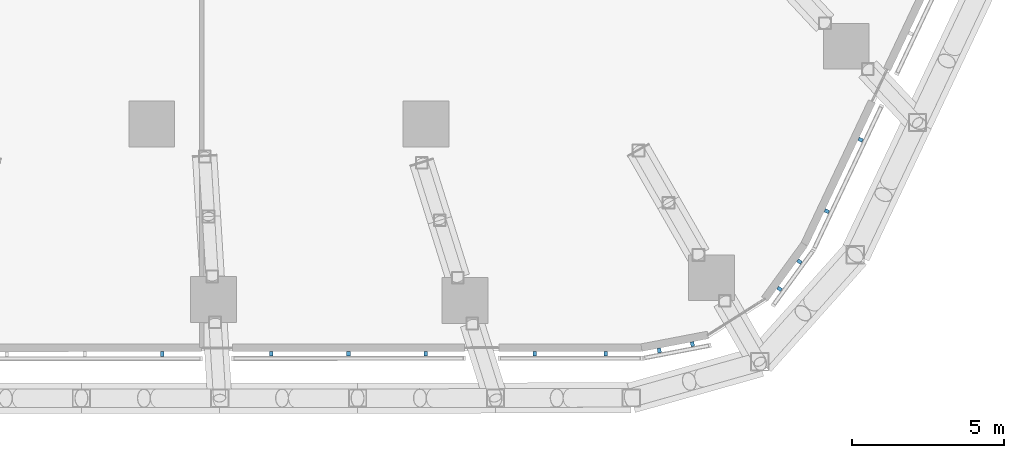
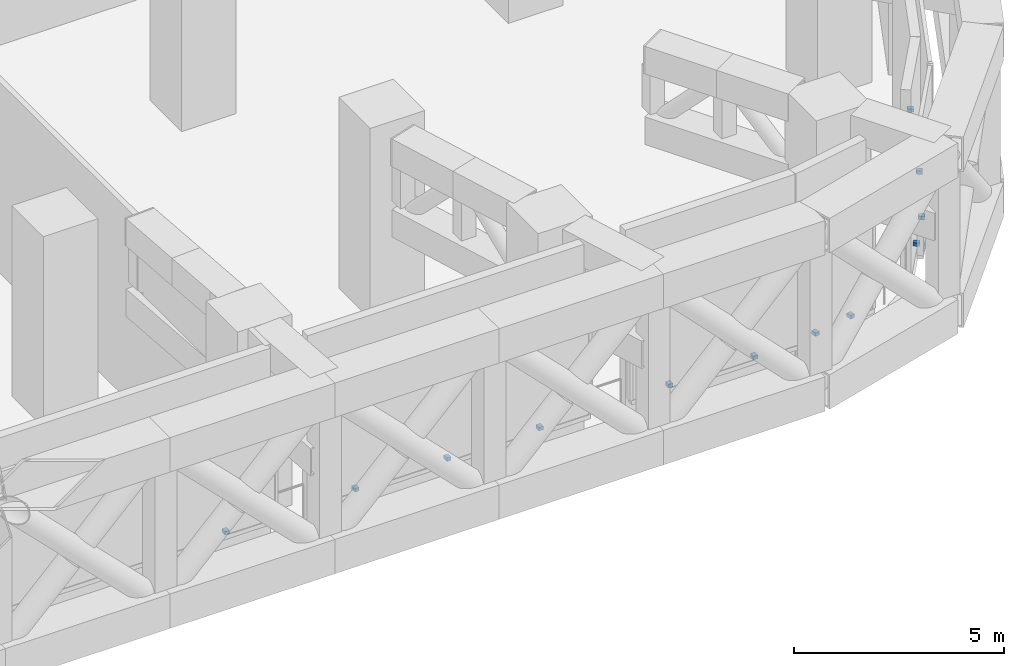
# One storey, part 25 of 38: 12 discrete accessories, 3 elements without a shape of their own.
"""IFC4 building model written with IfcOpenShell, lengths in metres."""

from ifc_helpers import new_model, si_unit, direction, frame, origin, origin_2d, place, context, subcontext, project, spatial, rectangle, extrude, material, layer, layer_set, type_object, element, aggregate, save


model = new_model("IFC4")

# Units and contexts
model_context = context("Model", 3, precision=1e-05, world=origin(), true_north=direction((0.0, 1.0)))
body_context = subcontext(model_context, "Body", "Model", "MODEL_VIEW")
ifc_project = project(units=[si_unit("LENGTHUNIT", "METRE"), si_unit("AREAUNIT", "SQUARE_METRE"), si_unit("VOLUMEUNIT", "CUBIC_METRE"), si_unit("PLANEANGLEUNIT", "RADIAN"), si_unit("MASSUNIT", "GRAM", prefix="KILO")], contexts=[model_context])

# Site, building, storey
site_placement = place(None, origin())
site = spatial("IfcSite", under=ifc_project, at=site_placement, CompositionType="ELEMENT")
building_placement = place(site_placement, origin())
building = spatial("IfcBuilding", under=site, at=building_placement, Name="Dongbaek Canopy Tower", CompositionType="ELEMENT")
storey_placement = place(building_placement, frame((0.0, 0.0, 89.199951171875)))
storey = spatial("IfcBuildingStorey", under=building, at=storey_placement, Name="L18", CompositionType="ELEMENT", Elevation=89.199951171875)

# Curtain wall, discrete accessories
ifc_material_1 = material(Name="Aluminium 6063-T6 pale anodised", Category="aluminium")
ifc_layer = layer(ifc_material_1, 0.14990234375)
ifc_layer_set = layer_set([ifc_layer], Name="CW-7 louvre curtain wall")
curtain_wall_type = type_object("IfcCurtainWallType", Name="CW-7 louvre curtain wall", PredefinedType="NOTDEFINED", material=ifc_layer_set)
curtain_wall_1_placement = place(storey_placement, origin())
curtain_wall_1 = element("IfcCurtainWall", 1, at=curtain_wall_1_placement, inside=storey, type_object=curtain_wall_type, Name="CW-7 louvre wall L18 F4", PredefinedType="NOTDEFINED")
ifc_material_2 = material(Name="Galvanised steel S355 bracket", Category="steel")
discrete_accessory_type = type_object("IfcDiscreteAccessoryType", Name="Louvre bracket BR1", PredefinedType="BRACKET", material=ifc_material_2)
discrete_accessory_1_placement = place(storey_placement, frame((0.348876953125, -34.54345703125, 0.6650390625), z_axis=(0.0, 0.0, 1.0), x_axis=(0.999999862689, 0.000524044387, 0.0)))
discrete_accessory_1 = element("IfcDiscreteAccessory", 2, at=discrete_accessory_1_placement, type_object=discrete_accessory_type, Name="Louvre bracket L18 F4.2.3", PredefinedType="BRACKET", context=body_context, shape_type="SweptSolid", body=[
    extrude(rectangle(XDim=0.1201171875, YDim=0.14990234375, at=origin_2d()), origin(), (0.0, 0.0, 1.0), 0.10009765625),
])
discrete_accessory_2_placement = place(storey_placement, frame((3.919677734375, -34.54150390625, 0.6650390625), z_axis=(0.0, 0.0, 1.0), x_axis=(0.999999862689, 0.000524044387, 0.0)))
discrete_accessory_2 = element("IfcDiscreteAccessory", 3, at=discrete_accessory_2_placement, type_object=discrete_accessory_type, Name="Louvre bracket L18 F4.3.1", PredefinedType="BRACKET", context=body_context, shape_type="SweptSolid", body=[
    extrude(rectangle(XDim=0.1201171875, YDim=0.14990234375, at=origin_2d()), origin(), (0.0, 0.0, 1.0), 0.10009765625),
])
discrete_accessory_3_placement = place(storey_placement, frame((6.45654296875, -34.540283203125, 0.6650390625), z_axis=(0.0, 0.0, 1.0), x_axis=(0.999999862689, 0.000524044387, 0.0)))
discrete_accessory_3 = element("IfcDiscreteAccessory", 4, at=discrete_accessory_3_placement, type_object=discrete_accessory_type, Name="Louvre bracket L18 F4.3.2", PredefinedType="BRACKET", context=body_context, shape_type="SweptSolid", body=[
    extrude(rectangle(XDim=0.1201171875, YDim=0.14990234375, at=origin_2d()), origin(), (0.0, 0.0, 1.0), 0.10009765625),
])
discrete_accessory_4_placement = place(storey_placement, frame((8.99365234375, -34.538818359375, 0.6650390625), z_axis=(0.0, 0.0, 1.0), x_axis=(0.999999862689, 0.000524044387, 0.0)))
discrete_accessory_4 = element("IfcDiscreteAccessory", 5, at=discrete_accessory_4_placement, type_object=discrete_accessory_type, Name="Louvre bracket L18 F4.3.3", PredefinedType="BRACKET", context=body_context, shape_type="SweptSolid", body=[
    extrude(rectangle(XDim=0.1201171875, YDim=0.14990234375, at=origin_2d()), origin(), (0.0, 0.0, 1.0), 0.10009765625),
])
discrete_accessory_5_placement = place(storey_placement, frame((12.56396484375, -34.537109375, 0.6650390625), z_axis=(0.0, 0.0, 1.0), x_axis=(0.999999862689, 0.000524044387, 0.0)))
discrete_accessory_5 = element("IfcDiscreteAccessory", 6, at=discrete_accessory_5_placement, type_object=discrete_accessory_type, Name="Louvre bracket L18 F4.4.1", PredefinedType="BRACKET", context=body_context, shape_type="SweptSolid", body=[
    extrude(rectangle(XDim=0.1201171875, YDim=0.14990234375, at=origin_2d()), origin(), (0.0, 0.0, 1.0), 0.10009765625),
])
discrete_accessory_6_placement = place(storey_placement, frame((14.902099609375, -34.535888671875, 0.6650390625), z_axis=(0.0, 0.0, 1.0), x_axis=(0.999999862689, 0.000524044387, 0.0)))
discrete_accessory_6 = element("IfcDiscreteAccessory", 7, at=discrete_accessory_6_placement, type_object=discrete_accessory_type, Name="Louvre bracket L18 F4.4.2", PredefinedType="BRACKET", context=body_context, shape_type="SweptSolid", body=[
    extrude(rectangle(XDim=0.1201171875, YDim=0.14990234375, at=origin_2d()), origin(), (0.0, 0.0, 1.0), 0.10009765625),
])
aggregate(curtain_wall_1, [discrete_accessory_1, discrete_accessory_2, discrete_accessory_3, discrete_accessory_4, discrete_accessory_5, discrete_accessory_6])

curtain_wall_2_placement = place(storey_placement, origin())
curtain_wall_2 = element("IfcCurtainWall", 8, at=curtain_wall_2_placement, inside=storey, type_object=curtain_wall_type, Name="CW-7 louvre wall L18 K5", PredefinedType="NOTDEFINED")
discrete_accessory_7_placement = place(storey_placement, frame((16.652587890625, -34.427734375, 0.6650390625), z_axis=(0.0, 0.0, 1.0), x_axis=(0.982248893064, 0.187582280814, 0.0)))
discrete_accessory_7 = element("IfcDiscreteAccessory", 9, at=discrete_accessory_7_placement, type_object=discrete_accessory_type, Name="Louvre bracket L18 K5.1.1", PredefinedType="BRACKET", context=body_context, shape_type="SweptSolid", body=[
    extrude(rectangle(XDim=0.1201171875, YDim=0.14990234375, at=origin_2d()), origin(), (0.0, 0.0, 1.0), 0.10009765625),
])
discrete_accessory_8_placement = place(storey_placement, frame((17.7412109375, -34.2197265625, 0.6650390625), z_axis=(0.0, 0.0, 1.0), x_axis=(0.982248893064, 0.187582280814, 0.0)))
discrete_accessory_8 = element("IfcDiscreteAccessory", 10, at=discrete_accessory_8_placement, type_object=discrete_accessory_type, Name="Louvre bracket L18 K5.1.2", PredefinedType="BRACKET", context=body_context, shape_type="SweptSolid", body=[
    extrude(rectangle(XDim=0.1201171875, YDim=0.14990234375, at=origin_2d()), origin(), (0.0, 0.0, 1.0), 0.10009765625),
])
discrete_accessory_9_placement = place(storey_placement, frame((20.599365234375, -32.40771484375, 0.6650390625), z_axis=(0.0, 0.0, 1.0), x_axis=(0.588653156546, 0.808385713189, 0.0)))
discrete_accessory_9 = element("IfcDiscreteAccessory", 11, at=discrete_accessory_9_placement, type_object=discrete_accessory_type, Name="Louvre bracket L18 K5.2.1", PredefinedType="BRACKET", context=body_context, shape_type="SweptSolid", body=[
    extrude(rectangle(XDim=0.1201171875, YDim=0.14990234375, at=origin_2d()), origin(), (0.0, 0.0, 1.0), 0.10009765625),
])
discrete_accessory_10_placement = place(storey_placement, frame((21.251708984375, -31.51171875, 0.6650390625), z_axis=(0.0, 0.0, 1.0), x_axis=(0.588653156546, 0.808385713189, 0.0)))
discrete_accessory_10 = element("IfcDiscreteAccessory", 12, at=discrete_accessory_10_placement, type_object=discrete_accessory_type, Name="Louvre bracket L18 K5.2.2", PredefinedType="BRACKET", context=body_context, shape_type="SweptSolid", body=[
    extrude(rectangle(XDim=0.1201171875, YDim=0.14990234375, at=origin_2d()), origin(), (0.0, 0.0, 1.0), 0.10009765625),
])
aggregate(curtain_wall_2, [discrete_accessory_7, discrete_accessory_8, discrete_accessory_9, discrete_accessory_10])

curtain_wall_3_placement = place(storey_placement, origin())
curtain_wall_3 = element("IfcCurtainWall", 13, at=curtain_wall_3_placement, inside=storey, type_object=curtain_wall_type, Name="CW-7 louvre wall L18 F5", PredefinedType="NOTDEFINED")
discrete_accessory_11_placement = place(storey_placement, frame((22.15087890625, -29.85888671875, 0.6650390625), z_axis=(0.0, 0.0, 1.0), x_axis=(0.427038992534, 0.904233210436, 0.0)))
discrete_accessory_11 = element("IfcDiscreteAccessory", 14, at=discrete_accessory_11_placement, type_object=discrete_accessory_type, Name="Louvre bracket L18 F5.1.1", PredefinedType="BRACKET", context=body_context, shape_type="SweptSolid", body=[
    extrude(rectangle(XDim=0.1201171875, YDim=0.14990234375, at=origin_2d()), origin(), (0.0, 0.0, 1.0), 0.10009765625),
])
discrete_accessory_12_placement = place(storey_placement, frame((23.258544921875, -27.513427734375, 0.6650390625), z_axis=(0.0, 0.0, 1.0), x_axis=(0.427038992534, 0.904233210436, 0.0)))
discrete_accessory_12 = element("IfcDiscreteAccessory", 15, at=discrete_accessory_12_placement, type_object=discrete_accessory_type, Name="Louvre bracket L18 F5.1.2", PredefinedType="BRACKET", context=body_context, shape_type="SweptSolid", body=[
    extrude(rectangle(XDim=0.1201171875, YDim=0.14990234375, at=origin_2d()), origin(), (0.0, 0.0, 1.0), 0.10009765625),
])
aggregate(curtain_wall_3, [discrete_accessory_11, discrete_accessory_12])

save(model, "model.ifc")
